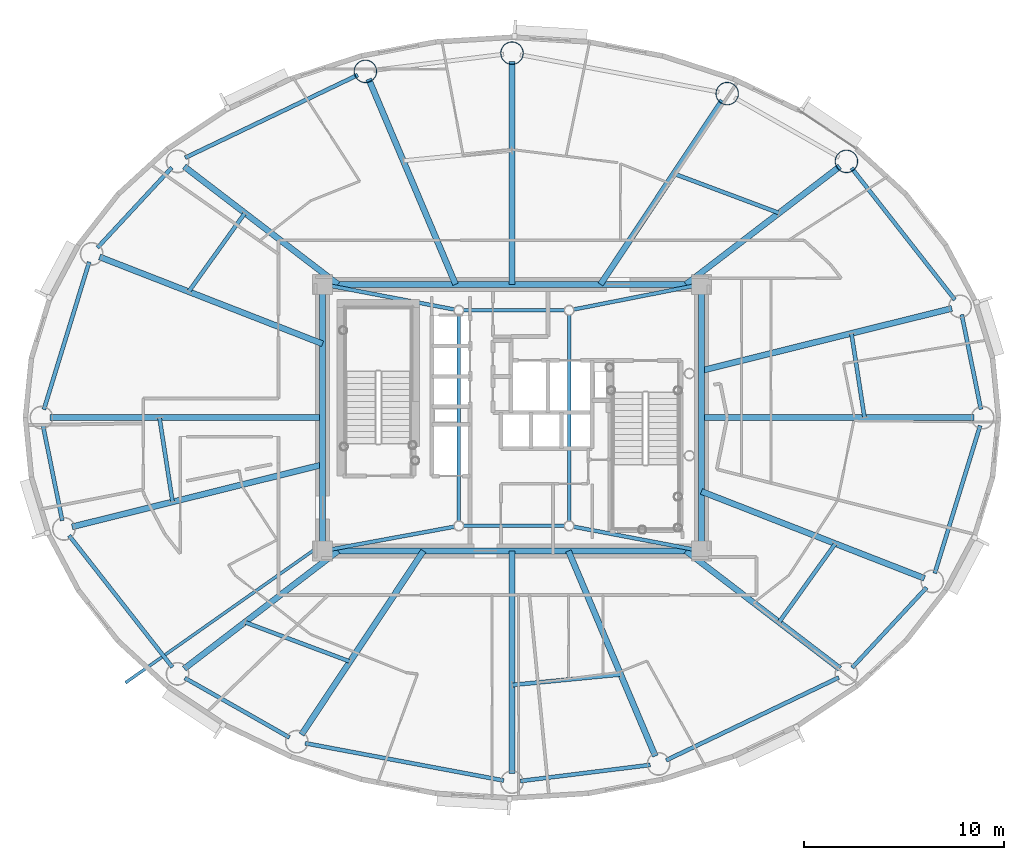
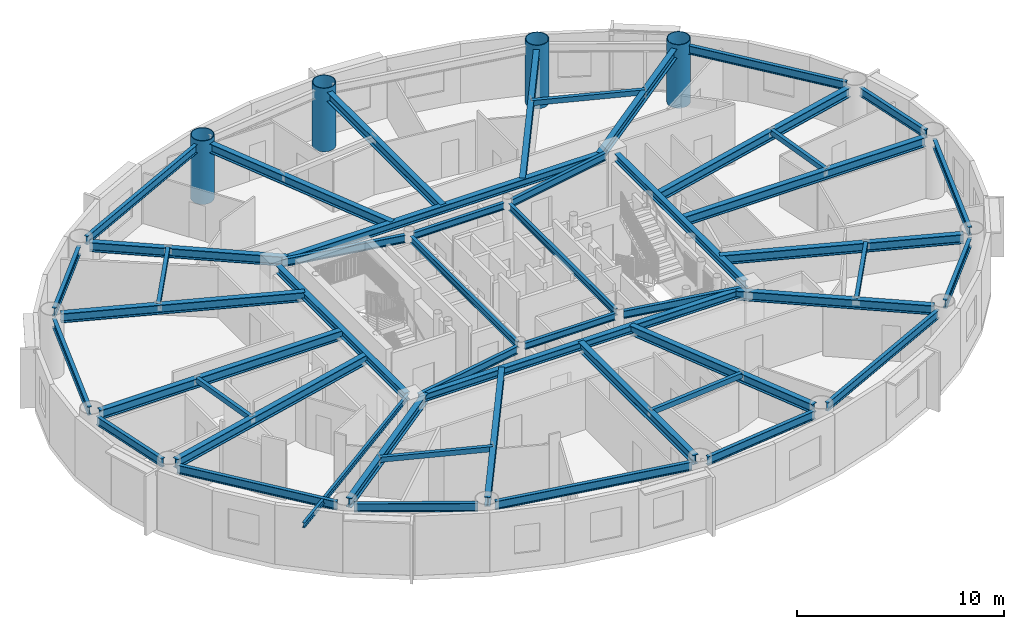
# One storey, part 3 of 21: 49 beams, 4 columns.
"""IFC4 building model written with IfcOpenShell, lengths in metres."""

from ifc_helpers import new_model, si_unit, direction, frame, origin, origin_2d, place, context, subcontext, project, spatial, hollow_rectangle, hollow_circle, i_section, extrude, material, material_profile, profile_set, type_object, element, save


model = new_model("IFC4")

# Units and contexts
model_context = context("Model", 3, precision=1e-05, world=origin(), true_north=direction((0.0, 1.0)))
body_context = subcontext(model_context, "Body", "Model", "MODEL_VIEW")
ifc_project = project(units=[si_unit("LENGTHUNIT", "METRE"), si_unit("AREAUNIT", "SQUARE_METRE"), si_unit("VOLUMEUNIT", "CUBIC_METRE"), si_unit("PLANEANGLEUNIT", "RADIAN"), si_unit("MASSUNIT", "GRAM", prefix="KILO")], contexts=[model_context])

# Site, building, storey
site_placement = place(None, origin())
site = spatial("IfcSite", under=ifc_project, at=site_placement, CompositionType="ELEMENT")
building_placement = place(site_placement, origin())
building = spatial("IfcBuilding", under=site, at=building_placement, Name="Linh Dai School and Residence Tower", CompositionType="ELEMENT")
storey_placement = place(building_placement, frame((0.0, 0.0, 251.550048828125)))
storey = spatial("IfcBuildingStorey", under=building, at=storey_placement, Name="L62", CompositionType="ELEMENT", Elevation=251.550048828125)

# Columns
ifc_material = material(Name="Structural Steel S355JR", Category="steel")
ifc_material_profile_1 = material_profile(ifc_material, hollow_circle(Radius=0.574951171875, WallThickness=0.035888671875, at=origin_2d()), Name="CHS 1150x36")
ifc_profile_set_1 = profile_set([ifc_material_profile_1], Name="Structural Steel S355JR")
column_type = type_object("IfcColumnType", Name="COL-MC5", PredefinedType="COLUMN", material=ifc_profile_set_1)
for number, where, z_axis, x_axis, name in (
    (1, (52.68310546875, 39.781005859375, 0.0), (0.0, 0.0, 1.0), (1.0, 0.0, 0.0), "L62 Perimeter CFT Mega-Column MC03"),
    (2, (46.734619140625, 43.16357421875, 0.0), (0.0, 0.0, 1.0), (1.0, 0.0, 0.0), "L62 Perimeter CFT Mega-Column MC04"),
    (3, (36.0, 45.179931640625, 0.0), (0.0, 0.0, 1.0), (1.0, 0.0, 0.0), "L62 Perimeter CFT Mega-Column MC05"),
    (4, (28.68798828125, 44.2734375, 0.0), (0.0, 0.0, 1.0), (1.0, 0.0, 0.0), "L62 Perimeter CFT Mega-Column MC06"),
):
    element("IfcColumn", number, at=place(storey_placement, frame(where, z_axis=z_axis, x_axis=x_axis)), inside=storey, type_object=column_type, Name=name, PredefinedType="COLUMN", context=body_context, shape_type="SweptSolid", body=[
        extrude(hollow_circle(Radius=0.574951171875, WallThickness=0.035888671875, at=origin_2d()), origin(), (0.0, 0.0, 1.0), 3.75),
    ])

# Beams
ifc_material_profile_2 = material_profile(ifc_material, i_section(OverallWidth=0.14990234375, OverallDepth=0.300048828125, WebThickness=0.007080078125, FlangeThickness=0.0107421875, at=origin_2d()), Name="IPE 300")
ifc_profile_set_2 = profile_set([ifc_material_profile_2], Name="Structural Steel S355JR")
beam_type_1 = type_object("IfcBeamType", Name="BM-BALC-CANT", PredefinedType="BEAM", material=ifc_profile_set_2)
beam_1_placement = place(storey_placement, frame((26.550048828125, 20.698486328125, 3.349853515625), z_axis=(-0.817596484683, -0.57579161876, 0.0), x_axis=(0.57579161876, -0.817596484683, 0.0)))
element("IfcBeam", 5, at=beam_1_placement, inside=storey, type_object=beam_type_1, Name="L63 Balcony Continuous Cantilever Beam 25", PredefinedType="BEAM", context=body_context, shape_type="SweptSolid", body=[
    extrude(i_section(OverallWidth=0.14990234375, OverallDepth=0.300048828125, WebThickness=0.007080078125, FlangeThickness=0.0107421875, at=origin_2d()), origin(), (0.0, 0.0, 1.0), 12.02392578125),
])
ifc_material_profile_3 = material_profile(ifc_material, hollow_rectangle(XDim=0.199951171875, YDim=0.300048828125, WallThickness=0.010009765625, at=origin_2d()), Name="RHS 300x200x10")
ifc_profile_set_3 = profile_set([ifc_material_profile_3], Name="Structural Steel S355JR")
beam_type_2 = type_object("IfcBeamType", Name="BM-BX3", PredefinedType="BEAM", material=ifc_profile_set_3)
beam_2_placement = place(storey_placement, frame((53.583740234375, 27.0048828125, 3.349853515625), z_axis=(-0.153185278766, 0.988197485511, 0.0), x_axis=(-0.988197485511, -0.153185278766, 0.0)))
element("IfcBeam", 6, at=beam_2_placement, inside=storey, type_object=beam_type_2, Name="L62 Secondary Circumferential Floor Beam 01", PredefinedType="BEAM", context=body_context, shape_type="SweptSolid", body=[
    extrude(hollow_rectangle(XDim=0.199951171875, YDim=0.300048828125, WallThickness=0.010009765625, at=origin_2d()), origin(), (0.0, 0.0, 1.0), 4.244140625),
])
beam_3_placement = place(storey_placement, frame((49.3173828125, 37.207763671875, 3.349853515625), z_axis=(-0.936542736839, 0.350553422567, 0.0), x_axis=(-0.350553422567, -0.936542736839, 0.0)))
element("IfcBeam", 7, at=beam_3_placement, inside=storey, type_object=beam_type_2, Name="L62 Secondary Circumferential Floor Beam 02", PredefinedType="BEAM", context=body_context, shape_type="SweptSolid", body=[
    extrude(hollow_rectangle(XDim=0.199951171875, YDim=0.300048828125, WallThickness=0.010009765625, at=origin_2d()), origin(), (0.0, 0.0, 1.0), 5.586181640625),
])
beam_4_placement = place(storey_placement, frame((22.675048828125, 37.201904296875, 3.349853515625), z_axis=(-0.582034525951, -0.813164073605, 0.0), x_axis=(0.813164073605, -0.582034525951, 0.0)))
element("IfcBeam", 8, at=beam_4_placement, inside=storey, type_object=beam_type_2, Name="L62 Secondary Circumferential Floor Beam 04", PredefinedType="BEAM", context=body_context, shape_type="SweptSolid", body=[
    extrude(hollow_rectangle(XDim=0.199951171875, YDim=0.300048828125, WallThickness=0.010009765625, at=origin_2d()), origin(), (0.0, 0.0, 1.0), 4.8125),
])
beam_5_placement = place(storey_placement, frame((18.416259765625, 26.9951171875, 3.349853515625), z_axis=(0.153185278766, -0.988197485511, 0.0), x_axis=(0.988197485511, 0.153185278766, 0.0)))
element("IfcBeam", 9, at=beam_5_placement, inside=storey, type_object=beam_type_2, Name="L62 Secondary Circumferential Floor Beam 05", PredefinedType="BEAM", context=body_context, shape_type="SweptSolid", body=[
    extrude(hollow_rectangle(XDim=0.199951171875, YDim=0.300048828125, WallThickness=0.010009765625, at=origin_2d()), origin(), (0.0, 0.0, 1.0), 4.244140625),
])
beam_6_placement = place(storey_placement, frame((22.6826171875, 16.792236328125, 3.349853515625), z_axis=(0.936542736839, -0.350553422567, 0.0), x_axis=(0.350553422567, 0.936542736839, 0.0)))
element("IfcBeam", 10, at=beam_6_placement, inside=storey, type_object=beam_type_2, Name="L62 Secondary Circumferential Floor Beam 06", PredefinedType="BEAM", context=body_context, shape_type="SweptSolid", body=[
    extrude(hollow_rectangle(XDim=0.199951171875, YDim=0.300048828125, WallThickness=0.010009765625, at=origin_2d()), origin(), (0.0, 0.0, 1.0), 5.586181640625),
])
beam_7_placement = place(storey_placement, frame((36.0048828125, 13.6630859375, 3.349853515625), z_axis=(0.99533180868, 0.096512126851, 0.0), x_axis=(-0.096512126851, 0.99533180868, 0.0)))
element("IfcBeam", 11, at=beam_7_placement, inside=storey, type_object=beam_type_2, Name="L62 Secondary Circumferential Floor Beam 07", PredefinedType="BEAM", context=body_context, shape_type="SweptSolid", body=[
    extrude(hollow_rectangle(XDim=0.199951171875, YDim=0.300048828125, WallThickness=0.010009765625, at=origin_2d()), origin(), (0.0, 0.0, 1.0), 5.438720703125),
])
beam_8_placement = place(storey_placement, frame((49.324951171875, 16.798095703125, 3.349853515625), z_axis=(0.582034525951, 0.813164073605, 0.0), x_axis=(-0.813164073605, 0.582034525951, 0.0)))
element("IfcBeam", 12, at=beam_8_placement, inside=storey, type_object=beam_type_2, Name="L62 Secondary Circumferential Floor Beam 08", PredefinedType="BEAM", context=body_context, shape_type="SweptSolid", body=[
    extrude(hollow_rectangle(XDim=0.199951171875, YDim=0.300048828125, WallThickness=0.010009765625, at=origin_2d()), origin(), (0.0, 0.0, 1.0), 4.8125),
])
ifc_material_profile_4 = material_profile(ifc_material, i_section(OverallWidth=0.199951171875, OverallDepth=0.5, WebThickness=0.01025390625, FlangeThickness=0.01611328125, FilletRadius=0.02099609375, at=origin_2d()), Name="IPE 500")
ifc_profile_set_4 = profile_set([ifc_material_profile_4], Name="Structural Steel S355JR")
beam_type_3 = type_object("IfcBeamType", Name="BM-RB50", PredefinedType="BEAM", material=ifc_profile_set_4)
beam_9_placement = place(storey_placement, frame((59.3916015625, 27.41162109375, 3.25), z_axis=(-0.198423200906, 0.980116438666, 0.0), x_axis=(-0.980116438666, -0.198423200906, 0.0)))
element("IfcBeam", 13, at=beam_9_placement, inside=storey, type_object=beam_type_3, Name="L62 Perimeter Elliptical Ring Beam 01", PredefinedType="BEAM", context=body_context, shape_type="SweptSolid", body=[
    extrude(i_section(OverallWidth=0.199951171875, OverallDepth=0.5, WebThickness=0.01025390625, FlangeThickness=0.01611328125, FilletRadius=0.02099609375, at=origin_2d()), origin(), (0.0, 0.0, 1.0), 4.822021484375),
])
beam_10_placement = place(storey_placement, frame((58.09228515625, 32.8798828125, 3.25), z_axis=(-0.616900268003, 0.787041332674, 0.0), x_axis=(-0.787041332674, -0.616900268003, 0.0)))
element("IfcBeam", 14, at=beam_10_placement, inside=storey, type_object=beam_type_3, Name="L62 Perimeter Elliptical Ring Beam 02", PredefinedType="BEAM", context=body_context, shape_type="SweptSolid", body=[
    extrude(i_section(OverallWidth=0.199951171875, OverallDepth=0.5, WebThickness=0.01025390625, FlangeThickness=0.01611328125, FilletRadius=0.02099609375, at=origin_2d()), origin(), (0.0, 0.0, 1.0), 8.348388671875),
])
beam_11_placement = place(storey_placement, frame((28.309326171875, 44.092041015625, 3.25), z_axis=(-0.901735920201, -0.432287323686, 0.0), x_axis=(0.432287323686, -0.901735920201, 0.0)))
element("IfcBeam", 15, at=beam_11_placement, inside=storey, type_object=beam_type_3, Name="L62 Perimeter Elliptical Ring Beam 06", PredefinedType="BEAM", context=body_context, shape_type="SweptSolid", body=[
    extrude(i_section(OverallWidth=0.199951171875, OverallDepth=0.5, WebThickness=0.01025390625, FlangeThickness=0.01611328125, FilletRadius=0.02099609375, at=origin_2d()), origin(), (0.0, 0.0, 1.0), 9.552490234375),
])
beam_12_placement = place(storey_placement, frame((19.031005859375, 39.47314453125, 3.25), z_axis=(-0.68040816846, -0.732833353699, 0.0), x_axis=(0.732833353699, -0.68040816846, 0.0)))
element("IfcBeam", 16, at=beam_12_placement, inside=storey, type_object=beam_type_3, Name="L62 Perimeter Elliptical Ring Beam 07", PredefinedType="BEAM", context=body_context, shape_type="SweptSolid", body=[
    extrude(i_section(OverallWidth=0.199951171875, OverallDepth=0.5, WebThickness=0.01025390625, FlangeThickness=0.01611328125, FilletRadius=0.02099609375, at=origin_2d()), origin(), (0.0, 0.0, 1.0), 5.453369140625),
])
beam_13_placement = place(storey_placement, frame((14.911376953125, 34.767578125, 3.25), z_axis=(-0.293660595717, -0.95590975229, 0.0), x_axis=(0.95590975229, -0.293660595717, 0.0)))
element("IfcBeam", 17, at=beam_13_placement, inside=storey, type_object=beam_type_3, Name="L62 Perimeter Elliptical Ring Beam 08", PredefinedType="BEAM", context=body_context, shape_type="SweptSolid", body=[
    extrude(i_section(OverallWidth=0.199951171875, OverallDepth=0.5, WebThickness=0.01025390625, FlangeThickness=0.01611328125, FilletRadius=0.02099609375, at=origin_2d()), origin(), (0.0, 0.0, 1.0), 7.7060546875),
])
beam_14_placement = place(storey_placement, frame((12.6083984375, 26.58837890625, 3.25), z_axis=(0.198423200906, -0.980116438666, 0.0), x_axis=(0.980116438666, 0.198423200906, 0.0)))
element("IfcBeam", 18, at=beam_14_placement, inside=storey, type_object=beam_type_3, Name="L62 Perimeter Elliptical Ring Beam 09", PredefinedType="BEAM", context=body_context, shape_type="SweptSolid", body=[
    extrude(i_section(OverallWidth=0.199951171875, OverallDepth=0.5, WebThickness=0.01025390625, FlangeThickness=0.01611328125, FilletRadius=0.02099609375, at=origin_2d()), origin(), (0.0, 0.0, 1.0), 4.822021484375),
])
beam_15_placement = place(storey_placement, frame((13.90771484375, 21.1201171875, 3.25), z_axis=(0.616900268003, -0.787041332674, 0.0), x_axis=(0.787041332674, 0.616900268003, 0.0)))
element("IfcBeam", 19, at=beam_15_placement, inside=storey, type_object=beam_type_3, Name="L62 Perimeter Elliptical Ring Beam 10", PredefinedType="BEAM", context=body_context, shape_type="SweptSolid", body=[
    extrude(i_section(OverallWidth=0.199951171875, OverallDepth=0.5, WebThickness=0.01025390625, FlangeThickness=0.01611328125, FilletRadius=0.02099609375, at=origin_2d()), origin(), (0.0, 0.0, 1.0), 8.348388671875),
])
beam_16_placement = place(storey_placement, frame((19.681884765625, 14.011474609375, 3.25), z_axis=(0.869297314463, -0.494289570058, 0.0), x_axis=(0.494289570058, 0.869297314463, 0.0)))
element("IfcBeam", 20, at=beam_16_placement, inside=storey, type_object=beam_type_3, Name="L62 Perimeter Elliptical Ring Beam 11", PredefinedType="BEAM", context=body_context, shape_type="SweptSolid", body=[
    extrude(i_section(OverallWidth=0.199951171875, OverallDepth=0.5, WebThickness=0.01025390625, FlangeThickness=0.01611328125, FilletRadius=0.02099609375, at=origin_2d()), origin(), (0.0, 0.0, 1.0), 6.003173828125),
])
beam_17_placement = place(storey_placement, frame((25.67822265625, 10.759033203125, 3.25), z_axis=(0.982806607762, -0.184637947722, 0.0), x_axis=(0.184637947722, 0.982806607762, 0.0)))
element("IfcBeam", 21, at=beam_17_placement, inside=storey, type_object=beam_type_3, Name="L62 Perimeter Elliptical Ring Beam 12", PredefinedType="BEAM", context=body_context, shape_type="SweptSolid", body=[
    extrude(i_section(OverallWidth=0.199951171875, OverallDepth=0.5, WebThickness=0.01025390625, FlangeThickness=0.01611328125, FilletRadius=0.02099609375, at=origin_2d()), origin(), (0.0, 0.0, 1.0), 10.082275390625),
])
beam_18_placement = place(storey_placement, frame((36.416748046875, 8.87158203125, 3.25), z_axis=(0.992401656104, 0.123040452539, 0.0), x_axis=(-0.123040452539, 0.992401656104, 0.0)))
element("IfcBeam", 22, at=beam_18_placement, inside=storey, type_object=beam_type_3, Name="L62 Perimeter Elliptical Ring Beam 13", PredefinedType="BEAM", context=body_context, shape_type="SweptSolid", body=[
    extrude(i_section(OverallWidth=0.199951171875, OverallDepth=0.5, WebThickness=0.01025390625, FlangeThickness=0.01611328125, FilletRadius=0.02099609375, at=origin_2d()), origin(), (0.0, 0.0, 1.0), 6.528076171875),
])
beam_19_placement = place(storey_placement, frame((43.690673828125, 9.907958984375, 3.25), z_axis=(0.901735920201, 0.432287323686, 0.0), x_axis=(-0.432287323686, 0.901735920201, 0.0)))
element("IfcBeam", 23, at=beam_19_placement, inside=storey, type_object=beam_type_3, Name="L62 Perimeter Elliptical Ring Beam 14", PredefinedType="BEAM", context=body_context, shape_type="SweptSolid", body=[
    extrude(i_section(OverallWidth=0.199951171875, OverallDepth=0.5, WebThickness=0.01025390625, FlangeThickness=0.01611328125, FilletRadius=0.02099609375, at=origin_2d()), origin(), (0.0, 0.0, 1.0), 9.552490234375),
])
beam_20_placement = place(storey_placement, frame((52.968994140625, 14.52685546875, 3.25), z_axis=(0.68040816846, 0.732833353699, 0.0), x_axis=(-0.732833353699, 0.68040816846, 0.0)))
element("IfcBeam", 24, at=beam_20_placement, inside=storey, type_object=beam_type_3, Name="L62 Perimeter Elliptical Ring Beam 15", PredefinedType="BEAM", context=body_context, shape_type="SweptSolid", body=[
    extrude(i_section(OverallWidth=0.199951171875, OverallDepth=0.5, WebThickness=0.01025390625, FlangeThickness=0.01611328125, FilletRadius=0.02099609375, at=origin_2d()), origin(), (0.0, 0.0, 1.0), 5.453369140625),
])
beam_21_placement = place(storey_placement, frame((57.088623046875, 19.232421875, 3.25), z_axis=(0.293660595717, 0.95590975229, 0.0), x_axis=(-0.95590975229, 0.293660595717, 0.0)))
element("IfcBeam", 25, at=beam_21_placement, inside=storey, type_object=beam_type_3, Name="L62 Perimeter Elliptical Ring Beam 16", PredefinedType="BEAM", context=body_context, shape_type="SweptSolid", body=[
    extrude(i_section(OverallWidth=0.199951171875, OverallDepth=0.5, WebThickness=0.01025390625, FlangeThickness=0.01611328125, FilletRadius=0.02099609375, at=origin_2d()), origin(), (0.0, 0.0, 1.0), 7.7060546875),
])
ifc_material_profile_5 = material_profile(ifc_material, i_section(OverallWidth=0.300048828125, OverallDepth=0.449951171875, WebThickness=0.013916015625, FlangeThickness=0.02587890625, FilletRadius=0.027099609375, at=origin_2d()), Name="HEB 450")
ifc_profile_set_5 = profile_set([ifc_material_profile_5], Name="Structural Steel S355JR")
beam_type_4 = type_object("IfcBeamType", Name="BM-RG45", PredefinedType="BEAM", material=ifc_profile_set_5)
beam_22_placement = place(storey_placement, frame((26.969970703125, 20.35009765625, 3.27490234375), z_axis=(1.0, 0.0, 0.0), x_axis=(0.0, 1.0, 0.0)))
element("IfcBeam", 26, at=beam_22_placement, inside=storey, type_object=beam_type_4, Name="L62 Core Perimeter Coupling Girder 1", PredefinedType="BEAM", context=body_context, shape_type="SweptSolid", body=[
    extrude(i_section(OverallWidth=0.300048828125, OverallDepth=0.449951171875, WebThickness=0.013916015625, FlangeThickness=0.02587890625, FilletRadius=0.027099609375, at=origin_2d()), origin(), (0.0, 0.0, 1.0), 18.06005859375),
])
beam_23_placement = place(storey_placement, frame((45.449951171875, 20.77001953125, 3.27490234375), z_axis=(0.0, 1.0, 0.0), x_axis=(-1.0, 0.0, 0.0)))
element("IfcBeam", 27, at=beam_23_placement, inside=storey, type_object=beam_type_4, Name="L62 Core Perimeter Coupling Girder 2", PredefinedType="BEAM", context=body_context, shape_type="SweptSolid", body=[
    extrude(i_section(OverallWidth=0.300048828125, OverallDepth=0.449951171875, WebThickness=0.013916015625, FlangeThickness=0.02587890625, FilletRadius=0.027099609375, at=origin_2d()), origin(), (0.0, 0.0, 1.0), 12.4599609375),
])
beam_24_placement = place(storey_placement, frame((45.030029296875, 33.64990234375, 3.27490234375), z_axis=(-1.0, 0.0, 0.0), x_axis=(0.0, -1.0, 0.0)))
element("IfcBeam", 28, at=beam_24_placement, inside=storey, type_object=beam_type_4, Name="L62 Core Perimeter Coupling Girder 3", PredefinedType="BEAM", context=body_context, shape_type="SweptSolid", body=[
    extrude(i_section(OverallWidth=0.300048828125, OverallDepth=0.449951171875, WebThickness=0.013916015625, FlangeThickness=0.02587890625, FilletRadius=0.027099609375, at=origin_2d()), origin(), (0.0, 0.0, 1.0), 18.06005859375),
])
beam_25_placement = place(storey_placement, frame((26.550048828125, 33.22998046875, 3.27490234375), z_axis=(0.0, -1.0, 0.0), x_axis=(1.0, 0.0, 0.0)))
element("IfcBeam", 29, at=beam_25_placement, inside=storey, type_object=beam_type_4, Name="L62 Core Perimeter Coupling Girder 4", PredefinedType="BEAM", context=body_context, shape_type="SweptSolid", body=[
    extrude(i_section(OverallWidth=0.300048828125, OverallDepth=0.449951171875, WebThickness=0.013916015625, FlangeThickness=0.02587890625, FilletRadius=0.027099609375, at=origin_2d()), origin(), (0.0, 0.0, 1.0), 12.4599609375),
])
ifc_material_profile_6 = material_profile(ifc_material, i_section(OverallWidth=0.300048828125, OverallDepth=0.550048828125, WebThickness=0.014892578125, FlangeThickness=0.029052734375, FilletRadius=0.027099609375, at=origin_2d()), Name="HEB 550")
ifc_profile_set_6 = profile_set([ifc_material_profile_6], Name="Structural Steel S355JR")
beam_type_5 = type_object("IfcBeamType", Name="BM-RG55", PredefinedType="BEAM", material=ifc_profile_set_6)
beam_26_placement = place(storey_placement, frame((45.449951171875, 27.0, 3.224853515625), z_axis=(1.0, 0.0, 0.0), x_axis=(0.0, 1.0, 0.0)))
element("IfcBeam", 30, at=beam_26_placement, inside=storey, type_object=beam_type_5, Name="L62 Primary Radial Floor Girder 01", PredefinedType="BEAM", context=body_context, shape_type="SweptSolid", body=[
    extrude(i_section(OverallWidth=0.300048828125, OverallDepth=0.550048828125, WebThickness=0.014892578125, FlangeThickness=0.029052734375, FilletRadius=0.027099609375, at=origin_2d()), origin(), (0.0, 0.0, 1.0), 13.60498046875),
])
beam_27_placement = place(storey_placement, frame((45.449951171875, 29.34619140625, 3.224853515625), z_axis=(0.970537241974, 0.240951160904, 0.0), x_axis=(-0.240951160904, 0.970537241974, 0.0)))
element("IfcBeam", 31, at=beam_27_placement, inside=storey, type_object=beam_type_5, Name="L62 Primary Radial Floor Girder 02", PredefinedType="BEAM", context=body_context, shape_type="SweptSolid", body=[
    extrude(i_section(OverallWidth=0.300048828125, OverallDepth=0.550048828125, WebThickness=0.014892578125, FlangeThickness=0.029052734375, FilletRadius=0.027099609375, at=origin_2d()), origin(), (0.0, 0.0, 1.0), 12.873291015625),
])
beam_28_placement = place(storey_placement, frame((44.680419921875, 33.64990234375, 3.224853515625), z_axis=(0.793814553483, 0.608159892363, 0.0), x_axis=(-0.608159892363, 0.793814553483, 0.0)))
element("IfcBeam", 32, at=beam_28_placement, inside=storey, type_object=beam_type_5, Name="L62 Primary Radial Floor Girder 03", PredefinedType="BEAM", context=body_context, shape_type="SweptSolid", body=[
    extrude(i_section(OverallWidth=0.300048828125, OverallDepth=0.550048828125, WebThickness=0.014892578125, FlangeThickness=0.029052734375, FilletRadius=0.027099609375, at=origin_2d()), origin(), (0.0, 0.0, 1.0), 9.661376953125),
])
beam_29_placement = place(storey_placement, frame((40.41650390625, 33.64990234375, 3.224853515625), z_axis=(0.553219177991, 0.833035738191, 0.0), x_axis=(-0.833035738191, 0.553219177991, 0.0)))
element("IfcBeam", 33, at=beam_29_placement, inside=storey, type_object=beam_type_5, Name="L62 Primary Radial Floor Girder 04", PredefinedType="BEAM", context=body_context, shape_type="SweptSolid", body=[
    extrude(i_section(OverallWidth=0.300048828125, OverallDepth=0.550048828125, WebThickness=0.014892578125, FlangeThickness=0.029052734375, FilletRadius=0.027099609375, at=origin_2d()), origin(), (0.0, 0.0, 1.0), 11.00048828125),
])
beam_30_placement = place(storey_placement, frame((36.0, 33.64990234375, 3.224853515625), z_axis=(0.0, 1.0, 0.0), x_axis=(-1.0, 0.0, 0.0)))
element("IfcBeam", 34, at=beam_30_placement, inside=storey, type_object=beam_type_5, Name="L62 Primary Radial Floor Girder 05", PredefinedType="BEAM", context=body_context, shape_type="SweptSolid", body=[
    extrude(i_section(OverallWidth=0.300048828125, OverallDepth=0.550048828125, WebThickness=0.014892578125, FlangeThickness=0.029052734375, FilletRadius=0.027099609375, at=origin_2d()), origin(), (0.0, 0.0, 1.0), 11.110107421875),
])
beam_31_placement = place(storey_placement, frame((33.18505859375, 33.64990234375, 3.224853515625), z_axis=(-0.389814803082, 0.920893272479, 0.0), x_axis=(-0.920893272479, -0.389814803082, 0.0)))
element("IfcBeam", 35, at=beam_31_placement, inside=storey, type_object=beam_type_5, Name="L62 Primary Radial Floor Girder 06", PredefinedType="BEAM", context=body_context, shape_type="SweptSolid", body=[
    extrude(i_section(OverallWidth=0.300048828125, OverallDepth=0.550048828125, WebThickness=0.014892578125, FlangeThickness=0.029052734375, FilletRadius=0.027099609375, at=origin_2d()), origin(), (0.0, 0.0, 1.0), 11.1162109375),
])
beam_32_placement = place(storey_placement, frame((27.319580078125, 33.64990234375, 3.224853515625), z_axis=(-0.793814553483, 0.608159892363, 0.0), x_axis=(-0.608159892363, -0.793814553483, 0.0)))
element("IfcBeam", 36, at=beam_32_placement, inside=storey, type_object=beam_type_5, Name="L62 Primary Radial Floor Girder 07", PredefinedType="BEAM", context=body_context, shape_type="SweptSolid", body=[
    extrude(i_section(OverallWidth=0.300048828125, OverallDepth=0.550048828125, WebThickness=0.014892578125, FlangeThickness=0.029052734375, FilletRadius=0.027099609375, at=origin_2d()), origin(), (0.0, 0.0, 1.0), 9.661376953125),
])
beam_33_placement = place(storey_placement, frame((26.550048828125, 30.68212890625, 3.224853515625), z_axis=(-0.931764994123, 0.363061972295, 0.0), x_axis=(-0.363061972295, -0.931764994123, 0.0)))
element("IfcBeam", 37, at=beam_33_placement, inside=storey, type_object=beam_type_5, Name="L62 Primary Radial Floor Girder 08", PredefinedType="BEAM", context=body_context, shape_type="SweptSolid", body=[
    extrude(i_section(OverallWidth=0.300048828125, OverallDepth=0.550048828125, WebThickness=0.014892578125, FlangeThickness=0.029052734375, FilletRadius=0.027099609375, at=origin_2d()), origin(), (0.0, 0.0, 1.0), 11.938720703125),
])
beam_34_placement = place(storey_placement, frame((26.550048828125, 27.0, 3.224853515625), z_axis=(-1.0, 0.0, 0.0), x_axis=(0.0, -1.0, 0.0)))
element("IfcBeam", 38, at=beam_34_placement, inside=storey, type_object=beam_type_5, Name="L62 Primary Radial Floor Girder 09", PredefinedType="BEAM", context=body_context, shape_type="SweptSolid", body=[
    extrude(i_section(OverallWidth=0.300048828125, OverallDepth=0.550048828125, WebThickness=0.014892578125, FlangeThickness=0.029052734375, FilletRadius=0.027099609375, at=origin_2d()), origin(), (0.0, 0.0, 1.0), 13.60498046875),
])
beam_35_placement = place(storey_placement, frame((26.550048828125, 24.65380859375, 3.224853515625), z_axis=(-0.970537241974, -0.240951160904, 0.0), x_axis=(0.240951160904, -0.970537241974, 0.0)))
element("IfcBeam", 39, at=beam_35_placement, inside=storey, type_object=beam_type_5, Name="L62 Primary Radial Floor Girder 10", PredefinedType="BEAM", context=body_context, shape_type="SweptSolid", body=[
    extrude(i_section(OverallWidth=0.300048828125, OverallDepth=0.550048828125, WebThickness=0.014892578125, FlangeThickness=0.029052734375, FilletRadius=0.027099609375, at=origin_2d()), origin(), (0.0, 0.0, 1.0), 12.873291015625),
])
beam_36_placement = place(storey_placement, frame((27.319580078125, 20.35009765625, 3.224853515625), z_axis=(-0.793814553483, -0.608159892363, 0.0), x_axis=(0.608159892363, -0.793814553483, 0.0)))
element("IfcBeam", 40, at=beam_36_placement, inside=storey, type_object=beam_type_5, Name="L62 Primary Radial Floor Girder 11", PredefinedType="BEAM", context=body_context, shape_type="SweptSolid", body=[
    extrude(i_section(OverallWidth=0.300048828125, OverallDepth=0.550048828125, WebThickness=0.014892578125, FlangeThickness=0.029052734375, FilletRadius=0.027099609375, at=origin_2d()), origin(), (0.0, 0.0, 1.0), 9.661376953125),
])
beam_37_placement = place(storey_placement, frame((31.58349609375, 20.35009765625, 3.224853515625), z_axis=(-0.553219177991, -0.833035738191, 0.0), x_axis=(0.833035738191, -0.553219177991, 0.0)))
element("IfcBeam", 41, at=beam_37_placement, inside=storey, type_object=beam_type_5, Name="L62 Primary Radial Floor Girder 12", PredefinedType="BEAM", context=body_context, shape_type="SweptSolid", body=[
    extrude(i_section(OverallWidth=0.300048828125, OverallDepth=0.550048828125, WebThickness=0.014892578125, FlangeThickness=0.029052734375, FilletRadius=0.027099609375, at=origin_2d()), origin(), (0.0, 0.0, 1.0), 11.00048828125),
])
beam_38_placement = place(storey_placement, frame((36.0, 20.35009765625, 3.224853515625), z_axis=(0.0, -1.0, 0.0), x_axis=(1.0, 0.0, 0.0)))
element("IfcBeam", 42, at=beam_38_placement, inside=storey, type_object=beam_type_5, Name="L62 Primary Radial Floor Girder 13", PredefinedType="BEAM", context=body_context, shape_type="SweptSolid", body=[
    extrude(i_section(OverallWidth=0.300048828125, OverallDepth=0.550048828125, WebThickness=0.014892578125, FlangeThickness=0.029052734375, FilletRadius=0.027099609375, at=origin_2d()), origin(), (0.0, 0.0, 1.0), 11.110107421875),
])
beam_39_placement = place(storey_placement, frame((38.81494140625, 20.35009765625, 3.224853515625), z_axis=(0.389814803082, -0.920893272479, 0.0), x_axis=(0.920893272479, 0.389814803082, 0.0)))
element("IfcBeam", 43, at=beam_39_placement, inside=storey, type_object=beam_type_5, Name="L62 Primary Radial Floor Girder 14", PredefinedType="BEAM", context=body_context, shape_type="SweptSolid", body=[
    extrude(i_section(OverallWidth=0.300048828125, OverallDepth=0.550048828125, WebThickness=0.014892578125, FlangeThickness=0.029052734375, FilletRadius=0.027099609375, at=origin_2d()), origin(), (0.0, 0.0, 1.0), 11.1162109375),
])
beam_40_placement = place(storey_placement, frame((44.680419921875, 20.35009765625, 3.224853515625), z_axis=(0.793814553483, -0.608159892363, 0.0), x_axis=(0.608159892363, 0.793814553483, 0.0)))
element("IfcBeam", 44, at=beam_40_placement, inside=storey, type_object=beam_type_5, Name="L62 Primary Radial Floor Girder 15", PredefinedType="BEAM", context=body_context, shape_type="SweptSolid", body=[
    extrude(i_section(OverallWidth=0.300048828125, OverallDepth=0.550048828125, WebThickness=0.014892578125, FlangeThickness=0.029052734375, FilletRadius=0.027099609375, at=origin_2d()), origin(), (0.0, 0.0, 1.0), 9.661376953125),
])
beam_41_placement = place(storey_placement, frame((45.449951171875, 23.31787109375, 3.224853515625), z_axis=(0.931764994123, -0.363061972295, 0.0), x_axis=(0.363061972295, 0.931764994123, 0.0)))
element("IfcBeam", 45, at=beam_41_placement, inside=storey, type_object=beam_type_5, Name="L62 Primary Radial Floor Girder 16", PredefinedType="BEAM", context=body_context, shape_type="SweptSolid", body=[
    extrude(i_section(OverallWidth=0.300048828125, OverallDepth=0.550048828125, WebThickness=0.014892578125, FlangeThickness=0.029052734375, FilletRadius=0.027099609375, at=origin_2d()), origin(), (0.0, 0.0, 1.0), 11.938720703125),
])
ifc_material_profile_7 = material_profile(ifc_material, i_section(OverallWidth=0.179931640625, OverallDepth=0.39990234375, WebThickness=0.008544921875, FlangeThickness=0.013427734375, FilletRadius=0.02099609375, at=origin_2d()), Name="IPE 400")
ifc_profile_set_7 = profile_set([ifc_material_profile_7], Name="Structural Steel S355JR")
beam_type_6 = type_object("IfcBeamType", Name="BM-SB40", PredefinedType="BEAM", material=ifc_profile_set_7)
beam_42_placement = place(storey_placement, frame((33.573974609375, 21.60009765625, 3.300048828125), z_axis=(1.0, 0.0, 0.0), x_axis=(0.0, 1.0, 0.0)))
element("IfcBeam", 46, at=beam_42_placement, inside=storey, type_object=beam_type_6, Name="L62 Core Mast Pier Tie Beam 1", PredefinedType="BEAM", context=body_context, shape_type="SweptSolid", body=[
    extrude(i_section(OverallWidth=0.179931640625, OverallDepth=0.39990234375, WebThickness=0.008544921875, FlangeThickness=0.013427734375, FilletRadius=0.02099609375, at=origin_2d()), origin(), (0.0, 0.0, 1.0), 5.052001953125),
])
beam_43_placement = place(storey_placement, frame((38.85009765625, 21.823974609375, 3.300048828125), z_axis=(0.0, 1.0, 0.0), x_axis=(-1.0, 0.0, 0.0)))
element("IfcBeam", 47, at=beam_43_placement, inside=storey, type_object=beam_type_6, Name="L62 Core Mast Pier Tie Beam 2", PredefinedType="BEAM", context=body_context, shape_type="SweptSolid", body=[
    extrude(i_section(OverallWidth=0.179931640625, OverallDepth=0.39990234375, WebThickness=0.008544921875, FlangeThickness=0.013427734375, FilletRadius=0.02099609375, at=origin_2d()), origin(), (0.0, 0.0, 1.0), 10.302001953125),
])
beam_44_placement = place(storey_placement, frame((38.6259765625, 32.35009765625, 3.300048828125), z_axis=(-1.0, 0.0, 0.0), x_axis=(0.0, -1.0, 0.0)))
element("IfcBeam", 48, at=beam_44_placement, inside=storey, type_object=beam_type_6, Name="L62 Core Mast Pier Tie Beam 3", PredefinedType="BEAM", context=body_context, shape_type="SweptSolid", body=[
    extrude(i_section(OverallWidth=0.179931640625, OverallDepth=0.39990234375, WebThickness=0.008544921875, FlangeThickness=0.013427734375, FilletRadius=0.02099609375, at=origin_2d()), origin(), (0.0, 0.0, 1.0), 5.052001953125),
])
beam_45_placement = place(storey_placement, frame((33.35009765625, 32.1259765625, 3.300048828125), z_axis=(0.0, -1.0, 0.0), x_axis=(1.0, 0.0, 0.0)))
element("IfcBeam", 49, at=beam_45_placement, inside=storey, type_object=beam_type_6, Name="L62 Core Mast Pier Tie Beam 4", PredefinedType="BEAM", context=body_context, shape_type="SweptSolid", body=[
    extrude(i_section(OverallWidth=0.179931640625, OverallDepth=0.39990234375, WebThickness=0.008544921875, FlangeThickness=0.013427734375, FilletRadius=0.02099609375, at=origin_2d()), origin(), (0.0, 0.0, 1.0), 10.302001953125),
])
ifc_material_profile_8 = material_profile(ifc_material, i_section(OverallWidth=0.18994140625, OverallDepth=0.449951171875, WebThickness=0.009521484375, FlangeThickness=0.0146484375, FilletRadius=0.02099609375, at=origin_2d()), Name="IPE 450")
ifc_profile_set_8 = profile_set([ifc_material_profile_8], Name="Structural Steel S355JR")
beam_type_7 = type_object("IfcBeamType", Name="BM-SB45", PredefinedType="BEAM", material=ifc_profile_set_8)
beam_46_placement = place(storey_placement, frame((26.963134765625, 20.426025390625, 3.27490234375), z_axis=(0.983521034508, 0.180793735182, 0.0), x_axis=(-0.180793735182, 0.983521034508, 0.0)))
element("IfcBeam", 50, at=beam_46_placement, inside=storey, type_object=beam_type_7, Name="L62 Core Corner-to-Mast Pier Beam 1", PredefinedType="BEAM", context=body_context, shape_type="SweptSolid", body=[
    extrude(i_section(OverallWidth=0.18994140625, OverallDepth=0.449951171875, WebThickness=0.009521484375, FlangeThickness=0.0146484375, FilletRadius=0.02099609375, at=origin_2d()), origin(), (0.0, 0.0, 1.0), 6.269775390625),
])
beam_47_placement = place(storey_placement, frame((45.037353515625, 20.42822265625, 3.27490234375), z_axis=(-0.982534706692, 0.186079418921, 0.0), x_axis=(-0.186079418921, -0.982534706692, 0.0)))
element("IfcBeam", 51, at=beam_47_placement, inside=storey, type_object=beam_type_7, Name="L62 Core Corner-to-Mast Pier Beam 2", PredefinedType="BEAM", context=body_context, shape_type="SweptSolid", body=[
    extrude(i_section(OverallWidth=0.18994140625, OverallDepth=0.449951171875, WebThickness=0.009521484375, FlangeThickness=0.0146484375, FilletRadius=0.02099609375, at=origin_2d()), origin(), (0.0, 0.0, 1.0), 6.0732421875),
])
beam_48_placement = place(storey_placement, frame((45.037841796875, 33.56884765625, 3.27490234375), z_axis=(-0.981147696489, -0.193259405138, 0.0), x_axis=(0.193259405138, -0.981147696489, 0.0)))
element("IfcBeam", 52, at=beam_48_placement, inside=storey, type_object=beam_type_7, Name="L62 Core Corner-to-Mast Pier Beam 3", PredefinedType="BEAM", context=body_context, shape_type="SweptSolid", body=[
    extrude(i_section(OverallWidth=0.18994140625, OverallDepth=0.449951171875, WebThickness=0.009521484375, FlangeThickness=0.0146484375, FilletRadius=0.02099609375, at=origin_2d()), origin(), (0.0, 0.0, 1.0), 6.082763671875),
])
beam_49_placement = place(storey_placement, frame((26.962646484375, 33.571044921875, 3.27490234375), z_axis=(0.982214129725, -0.187764222812, 0.0), x_axis=(0.187764222812, 0.982214129725, 0.0)))
element("IfcBeam", 53, at=beam_49_placement, inside=storey, type_object=beam_type_7, Name="L62 Core Corner-to-Mast Pier Beam 4", PredefinedType="BEAM", context=body_context, shape_type="SweptSolid", body=[
    extrude(i_section(OverallWidth=0.18994140625, OverallDepth=0.449951171875, WebThickness=0.009521484375, FlangeThickness=0.0146484375, FilletRadius=0.02099609375, at=origin_2d()), origin(), (0.0, 0.0, 1.0), 6.27880859375),
])

save(model, "model.ifc")
